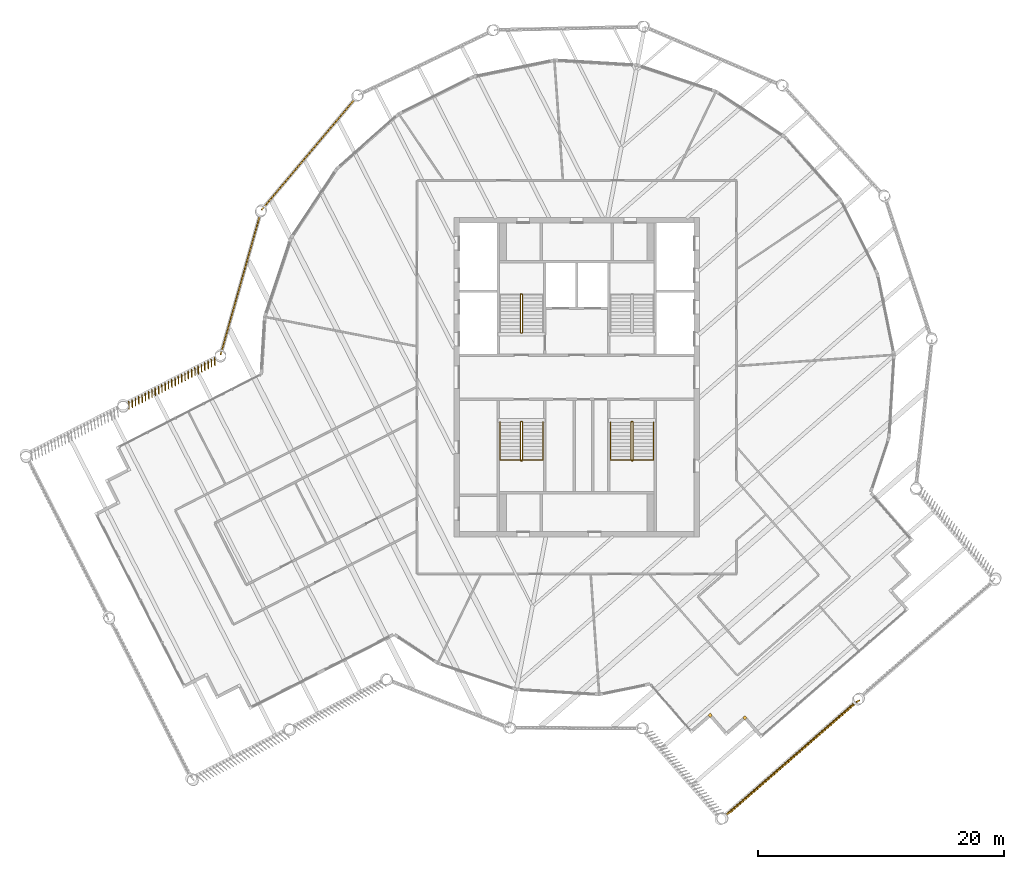
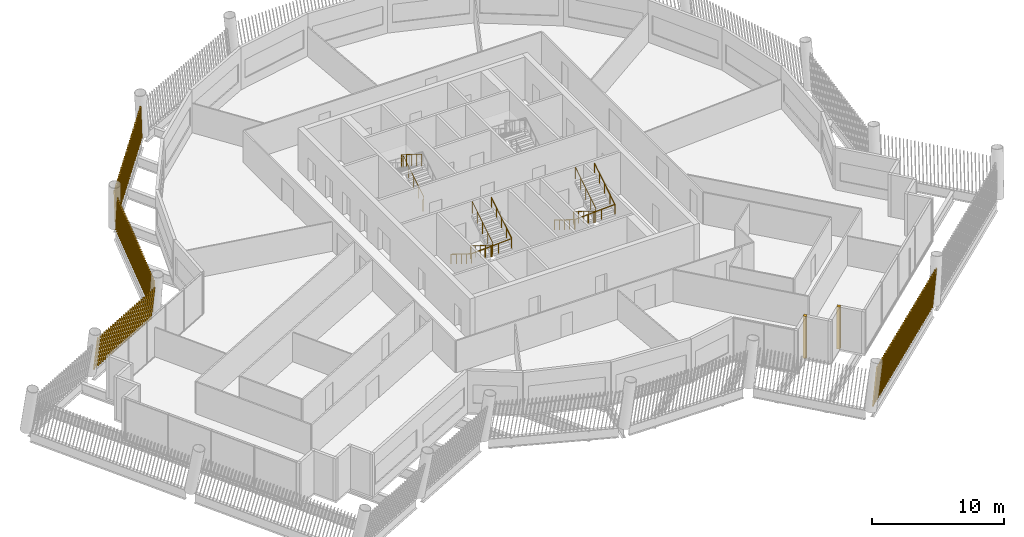
# One storey, part 26 of 28: 6 shading devices, 5 railings.
"""IFC4 building model written with IfcOpenShell, lengths in metres."""

import ifcopenshell
import ifcopenshell.guid

model = None  # the IFC model being written
_history = None  # IfcOwnerHistory: only IFC2X3 demands one
_inside = {}  # id of a spatial element -> (the spatial element, [elements in it])
_under = {}  # id of a project, library or spatial element -> (it, [spatial elements below it])
_declared = {}  # id of a project -> (the project, [libraries it declares])
_typed = {}  # id of a type object -> (the type object, [elements of that type])
_made_of = {}  # id of a material, layer set ... -> (it, [elements and type objects made of it])


def new_model(schema):
    """Start an empty IFC model of exactly this schema.

    Asked for "IFC4X3", IfcOpenShell would pick the latest addendum, in which some entities
    have other attributes; the version numbers below select the first issue.
    IFC2X3 requires an IfcOwnerHistory on every rooted entity: one is made here for all.
    """
    global model, _history
    if schema == "IFC4X3":
        model = ifcopenshell.file(schema_version=(4, 3, 0, 0))
    else:
        model = ifcopenshell.file(schema=schema)
    _inside.clear()
    _under.clear()
    _declared.clear()
    _typed.clear()
    _made_of.clear()
    _history = None
    if model.schema == "IFC2X3":
        org = make("IfcOrganization", Name="unknown")
        user = make(
            "IfcPersonAndOrganization",
            ThePerson=make("IfcPerson", FamilyName="unknown"),
            TheOrganization=org,
        )
        app = make(
            "IfcApplication",
            ApplicationDeveloper=org,
            Version="unknown",
            ApplicationFullName="unknown",
            ApplicationIdentifier="unknown",
        )
        _history = make(
            "IfcOwnerHistory",
            OwningUser=user,
            OwningApplication=app,
            ChangeAction="ADDED",
            CreationDate=0,
        )
    return model


def make(cls, **values):
    """One entity of the class cls with the attributes given. An attribute that is None is left unset."""
    return model.create_entity(
        cls, **{name: value for name, value in values.items() if value is not None}
    )


def rooted(cls, **values):
    """An entity with a GlobalId (a new one), such as an element, a storey or a relation."""
    return make(cls, GlobalId=ifcopenshell.guid.new(), OwnerHistory=_history, **values)


def si_unit(unit_type, name, prefix=None):
    """IfcSIUnit, for example si_unit("LENGTHUNIT", "METRE", prefix="MILLI")."""
    return make("IfcSIUnit", UnitType=unit_type, Prefix=prefix, Name=name)


def assignment(units):
    """IfcUnitAssignment: the units of a project."""
    return None if units is None else make("IfcUnitAssignment", Units=units)


def point(xyz):
    """IfcCartesianPoint."""
    return None if xyz is None else make("IfcCartesianPoint", Coordinates=xyz)


def direction(xyz):
    """IfcDirection."""
    return None if xyz is None else make("IfcDirection", DirectionRatios=xyz)


def frame(location, z_axis=None, x_axis=None):
    """IfcAxis2Placement3D, a coordinate frame: its origin and axes. An axis left out is left unset."""
    return make(
        "IfcAxis2Placement3D",
        Location=point(location),
        Axis=direction(z_axis),
        RefDirection=direction(x_axis),
    )


def frame_2d(location, x_axis=None):
    """IfcAxis2Placement2D, a coordinate frame in the plane: its origin and x axis."""
    return make(
        "IfcAxis2Placement2D", Location=point(location), RefDirection=direction(x_axis)
    )


def origin():
    """The frame at (0, 0, 0) with its axes left unset."""
    return frame((0.0, 0.0, 0.0))


def origin_2d():
    """The frame at (0, 0) in the plane with its x axis left unset."""
    return frame_2d((0.0, 0.0))


def place(relative_to, where):
    """IfcLocalPlacement: puts the frame where relative to a parent placement (None: the world)."""
    return make(
        "IfcLocalPlacement", PlacementRelTo=relative_to, RelativePlacement=where
    )


def context(
    kind, dimensions, precision=None, world=None, true_north=None, identifier=None
):
    """IfcGeometricRepresentationContext, for example the 3D "Model" context."""
    return make(
        "IfcGeometricRepresentationContext",
        ContextIdentifier=identifier,
        ContextType=kind,
        CoordinateSpaceDimension=dimensions,
        Precision=precision,
        WorldCoordinateSystem=world,
        TrueNorth=true_north,
    )


def subcontext(parent, identifier, kind, view, scale=None):
    """IfcGeometricRepresentationSubContext, for example "Body" below "Model"."""
    return make(
        "IfcGeometricRepresentationSubContext",
        ContextIdentifier=identifier,
        ContextType=kind,
        ParentContext=parent,
        TargetScale=scale,
        TargetView=view,
    )


def project(units=None, contexts=None):
    """IfcProject with its units and contexts."""
    return rooted(
        "IfcProject",
        Name="project",
        RepresentationContexts=contexts,
        UnitsInContext=assignment(units),
    )


def spatial(cls, under=None, at=None, **own):
    """A site, building, storey or space (cls), placed at a placement, below another one or the project."""
    s = rooted(cls, ObjectPlacement=at, **own)
    if under is not None:
        _under.setdefault(under.id(), (under, []))[1].append(s)
    return s


def profile(cls, at=None, kind="AREA", **sizes):
    """A parametric profile (cls). Its sizes go by their IFC names, for example OverallWidth=200.0."""
    return make(cls, ProfileType=kind, Position=at, **sizes)


def rectangle(**sizes):
    """IfcRectangleProfileDef."""
    return profile("IfcRectangleProfileDef", **sizes)


def circle(**sizes):
    """IfcCircleProfileDef."""
    return profile("IfcCircleProfileDef", **sizes)


def composite_profile(profiles, kind="AREA"):
    """IfcCompositeProfileDef: several profiles as one."""
    return make("IfcCompositeProfileDef", ProfileType=kind, Profiles=profiles)


def extrude(swept, where, along, depth):
    """IfcExtrudedAreaSolid: the profile swept, set in the frame where, extruded along a direction by depth."""
    return make(
        "IfcExtrudedAreaSolid",
        SweptArea=swept,
        Position=where,
        ExtrudedDirection=direction(along),
        Depth=depth,
    )


def shape(context_of_items, identifier, shape_type, items):
    """IfcShapeRepresentation: the items that make up one representation, for example the "Body"."""
    return make(
        "IfcShapeRepresentation",
        ContextOfItems=context_of_items,
        RepresentationIdentifier=identifier,
        RepresentationType=shape_type,
        Items=items,
    )


def material(Name=None, Category=None):
    """IfcMaterial."""
    return make("IfcMaterial", Name=Name, Category=Category)


def made_of(thing, what):
    """Note that an element or type object is made of a material, layer set ...; save() writes the relation."""
    if what is not None:
        _made_of.setdefault(what.id(), (what, []))[1].append(thing)
    return thing


def type_object(cls, material=None, **own):
    """A type object (cls), such as IfcWallType, which elements share."""
    return made_of(rooted(cls, **own), material)


def element(
    cls,
    number,
    at=None,
    inside=None,
    cuts=None,
    type_object=None,
    material=None,
    context=None,
    identifier="Body",
    shape_type=None,
    held_by="IfcProductDefinitionShape",
    body=None,
    shapes=None,
    **own,
):
    """One element of the class cls, such as IfcWall. Its Tag is "e" and its number.

    at: its placement. inside: the storey or other place that contains it. cuts: it is an
    opening in that element (IfcRelVoidsElement). A single representation is given by context,
    identifier, shape_type and body (its items); several are given by shapes. held_by: the class
    of the entity that holds the representations. save() writes the other relations.
    """
    e = rooted(cls, Tag="e%d" % number, ObjectPlacement=at, **own)
    if body is not None:
        shapes = [shape(context, identifier, shape_type, body)]
    if shapes is not None:
        e.Representation = make(held_by, Representations=shapes)
    if inside is not None:
        _inside.setdefault(inside.id(), (inside, []))[1].append(e)
    if cuts is not None:
        rooted(
            "IfcRelVoidsElement", RelatingBuildingElement=cuts, RelatedOpeningElement=e
        )
    if type_object is not None:
        _typed.setdefault(type_object.id(), (type_object, []))[1].append(e)
    return made_of(e, material)


def aggregate(whole, parts):
    """IfcRelAggregates: a whole, such as a stair, and the parts it consists of."""
    return rooted("IfcRelAggregates", RelatingObject=whole, RelatedObjects=parts)


def save(model, path):
    """Write the relations noted so far, then the file.

    IfcRelAggregates (storeys below a building ...), IfcRelContainedInSpatialStructure (elements
    in a storey), IfcRelDefinesByType, IfcRelAssociatesMaterial and IfcRelDeclares: one each for
    every whole, place, type object, material and project.
    """
    for whole, parts in _under.values():
        aggregate(whole, parts)
    for where, things in _inside.values():
        rooted(
            "IfcRelContainedInSpatialStructure",
            RelatedElements=things,
            RelatingStructure=where,
        )
    for kind, things in _typed.values():
        rooted("IfcRelDefinesByType", RelatedObjects=things, RelatingType=kind)
    for what, things in _made_of.values():
        rooted("IfcRelAssociatesMaterial", RelatedObjects=things, RelatingMaterial=what)
    for by, libraries in _declared.values():
        rooted("IfcRelDeclares", RelatingContext=by, RelatedDefinitions=libraries)
    model.write(path)


model = new_model("IFC4")

# Units and contexts
model_context = context("Model", 3, precision=1e-05, world=origin(), true_north=direction((0.0, 1.0)))
body_context = subcontext(model_context, "Body", "Model", "MODEL_VIEW")
ifc_project = project(units=[si_unit("LENGTHUNIT", "METRE"), si_unit("AREAUNIT", "SQUARE_METRE"), si_unit("VOLUMEUNIT", "CUBIC_METRE"), si_unit("PLANEANGLEUNIT", "RADIAN"), si_unit("MASSUNIT", "GRAM", prefix="KILO")], contexts=[model_context])

# Site, building, storey
site_placement = place(None, origin())
site = spatial("IfcSite", under=ifc_project, at=site_placement, CompositionType="ELEMENT")
building_placement = place(site_placement, origin())
building = spatial("IfcBuilding", under=site, at=building_placement, Name="Tarsis Ring Headquarters", CompositionType="ELEMENT")
storey_placement = place(building_placement, frame((0.0, 0.0, 394.39990234375)))
storey = spatial("IfcBuildingStorey", under=building, at=storey_placement, Name="L93", CompositionType="ELEMENT", Elevation=394.39990234375)

# Railings
ifc_material_1 = material(Name="Steel S355", Category="steel")
railing_type_1 = type_object("IfcRailingType", Name="Core stair guard 1100", PredefinedType="GUARDRAIL", material=ifc_material_1)
railing_1_placement = place(storey_placement, frame((-4.5400390625, 3.610107421875, 0.0)))
element("IfcRailing", 1, at=railing_1_placement, inside=storey, type_object=railing_type_1, Name="L93 ST1 stair guard 1", PredefinedType="GUARDRAIL", context=body_context, shape_type="SweptSolid", body=[
    extrude(circle(Radius=0.02392578125, at=origin_2d()), frame((0.0, 0.0, 1.076171875), z_axis=(1.0, 0.0, 0.0), x_axis=(0.0, 1.0, 0.0)), (0.0, 0.0, 1.0), 0.080078125),
    extrude(circle(Radius=0.02392578125, at=origin_2d()), frame((0.080078125, 0.0, 1.076171875), z_axis=(0.265155923931, 0.263862480399, 0.927399011991), x_axis=(-0.705375805398, 0.708833529934, 0.0)), (0.0, 0.0, 1.0), 0.188720703125),
    extrude(circle(Radius=0.02392578125, at=origin_2d()), frame((0.130126953125, 0.0498046875, 1.2509765625), z_axis=(0.0, 0.847998304005, 0.529998940003), x_axis=(-1.0, 0.0, 0.0)), (0.0, 0.0, 1.0), 3.632080078125),
    extrude(circle(Radius=0.02392578125, at=origin_2d()), frame((0.130126953125, 3.1298828125, 3.17626953125), z_axis=(-0.707106781187, 0.707106781187, 0.0), x_axis=(-0.707106781187, -0.707106781187, 0.0)), (0.0, 0.0, 1.0), 0.07080078125),
    extrude(circle(Radius=0.02392578125, at=origin_2d()), frame((0.080078125, 3.179931640625, 3.17626953125), z_axis=(-1.0, 0.0, 0.0), x_axis=(0.0, -1.0, 0.0)), (0.0, 0.0, 1.0), 0.080078125),
    extrude(circle(Radius=0.02392578125, at=origin_2d()), frame((0.0, 3.179931640625, 3.17626953125), z_axis=(-0.265065253269, -0.265065253269, 0.927081885822), x_axis=(0.707106781187, -0.707106781187, 0.0)), (0.0, 0.0, 1.0), 0.188720703125),
    extrude(circle(Radius=0.02392578125, at=origin_2d()), frame((-0.050048828125, 3.1298828125, 3.35107421875), z_axis=(0.0, -0.847998304005, 0.529998940003), x_axis=(1.0, 0.0, 0.0)), (0.0, 0.0, 1.0), 3.632080078125),
    extrude(circle(Radius=0.02099609375, at=origin_2d()), origin(), (0.0, 0.0, 1.0), 1.052001953125),
    extrude(circle(Radius=0.02099609375, at=origin_2d()), frame((0.080078125, 0.0, 0.0)), (0.0, 0.0, 1.0), 1.052001953125),
    extrude(circle(Radius=0.02099609375, at=origin_2d()), frame((0.130126953125, 0.0498046875, 0.175048828125)), (0.0, 0.0, 1.0), 1.052001953125),
    extrude(circle(Radius=0.02099609375, at=origin_2d()), frame((0.130126953125, 0.81982421875, 0.65625)), (0.0, 0.0, 1.0), 1.052001953125),
    extrude(circle(Radius=0.02099609375, at=origin_2d()), frame((0.130126953125, 1.58984375, 1.1376953125)), (0.0, 0.0, 1.0), 1.052001953125),
    extrude(circle(Radius=0.02099609375, at=origin_2d()), frame((0.130126953125, 2.35986328125, 1.618896484375)), (0.0, 0.0, 1.0), 1.052001953125),
    extrude(circle(Radius=0.02099609375, at=origin_2d()), frame((0.130126953125, 3.1298828125, 2.10009765625)), (0.0, 0.0, 1.0), 1.052001953125),
    extrude(circle(Radius=0.02099609375, at=origin_2d()), frame((0.080078125, 3.179931640625, 2.10009765625)), (0.0, 0.0, 1.0), 1.052001953125),
    extrude(circle(Radius=0.02099609375, at=origin_2d()), frame((0.0, 3.179931640625, 2.10009765625)), (0.0, 0.0, 1.0), 1.052001953125),
    extrude(circle(Radius=0.02099609375, at=origin_2d()), frame((-0.050048828125, 3.1298828125, 2.275146484375)), (0.0, 0.0, 1.0), 1.052001953125),
    extrude(circle(Radius=0.02099609375, at=origin_2d()), frame((-0.050048828125, 2.35986328125, 2.75634765625)), (0.0, 0.0, 1.0), 1.052001953125),
    extrude(circle(Radius=0.02099609375, at=origin_2d()), frame((-0.050048828125, 1.58984375, 3.23779296875)), (0.0, 0.0, 1.0), 1.052001953125),
    extrude(circle(Radius=0.02099609375, at=origin_2d()), frame((-0.050048828125, 0.81982421875, 3.718994140625)), (0.0, 0.0, 1.0), 1.052001953125),
    extrude(circle(Radius=0.02099609375, at=origin_2d()), frame((-0.050048828125, 0.0498046875, 4.2001953125)), (0.0, 0.0, 1.0), 1.052001953125),
])
railing_2_placement = place(storey_placement, frame((-4.4599609375, -3.610107421875, 0.0)))
element("IfcRailing", 2, at=railing_2_placement, inside=storey, type_object=railing_type_1, Name="L93 ST3 stair guard 1", PredefinedType="GUARDRAIL", context=body_context, shape_type="SweptSolid", body=[
    extrude(circle(Radius=0.02392578125, at=origin_2d()), frame((0.0, 0.0, 1.076171875), z_axis=(-1.0, 0.0, 0.0), x_axis=(0.0, -1.0, 0.0)), (0.0, 0.0, 1.0), 0.080078125),
    extrude(circle(Radius=0.02392578125, at=origin_2d()), frame((-0.080078125, 0.0, 1.076171875), z_axis=(-0.265155923931, -0.263862480399, 0.927399011991), x_axis=(0.705375805398, -0.708833529934, 0.0)), (0.0, 0.0, 1.0), 0.188720703125),
    extrude(circle(Radius=0.02392578125, at=origin_2d()), frame((-0.130126953125, -0.0498046875, 1.2509765625), z_axis=(0.0, -0.847998304005, 0.529998940003), x_axis=(1.0, 0.0, 0.0)), (0.0, 0.0, 1.0), 3.632080078125),
    extrude(circle(Radius=0.02392578125, at=origin_2d()), frame((-0.130126953125, -3.1298828125, 3.17626953125), z_axis=(0.707106781187, -0.707106781187, 0.0), x_axis=(0.707106781187, 0.707106781187, 0.0)), (0.0, 0.0, 1.0), 0.07080078125),
    extrude(circle(Radius=0.02392578125, at=origin_2d()), frame((-0.080078125, -3.179931640625, 3.17626953125), z_axis=(1.0, 0.0, 0.0), x_axis=(0.0, 1.0, 0.0)), (0.0, 0.0, 1.0), 0.080078125),
    extrude(circle(Radius=0.02392578125, at=origin_2d()), frame((0.0, -3.179931640625, 3.17626953125), z_axis=(0.265065253269, 0.265065253269, 0.927081885822), x_axis=(-0.707106781187, 0.707106781187, 0.0)), (0.0, 0.0, 1.0), 0.188720703125),
    extrude(circle(Radius=0.02392578125, at=origin_2d()), frame((0.050048828125, -3.1298828125, 3.35107421875), z_axis=(0.0, 0.847998304005, 0.529998940003), x_axis=(-1.0, 0.0, 0.0)), (0.0, 0.0, 1.0), 3.632080078125),
    extrude(circle(Radius=0.02099609375, at=origin_2d()), origin(), (0.0, 0.0, 1.0), 1.052001953125),
    extrude(circle(Radius=0.02099609375, at=origin_2d()), frame((-0.080078125, 0.0, 0.0)), (0.0, 0.0, 1.0), 1.052001953125),
    extrude(circle(Radius=0.02099609375, at=origin_2d()), frame((-0.130126953125, -0.0498046875, 0.175048828125)), (0.0, 0.0, 1.0), 1.052001953125),
    extrude(circle(Radius=0.02099609375, at=origin_2d()), frame((-0.130126953125, -0.81982421875, 0.65625)), (0.0, 0.0, 1.0), 1.052001953125),
    extrude(circle(Radius=0.02099609375, at=origin_2d()), frame((-0.130126953125, -1.58984375, 1.1376953125)), (0.0, 0.0, 1.0), 1.052001953125),
    extrude(circle(Radius=0.02099609375, at=origin_2d()), frame((-0.130126953125, -2.35986328125, 1.618896484375)), (0.0, 0.0, 1.0), 1.052001953125),
    extrude(circle(Radius=0.02099609375, at=origin_2d()), frame((-0.130126953125, -3.1298828125, 2.10009765625)), (0.0, 0.0, 1.0), 1.052001953125),
    extrude(circle(Radius=0.02099609375, at=origin_2d()), frame((-0.080078125, -3.179931640625, 2.10009765625)), (0.0, 0.0, 1.0), 1.052001953125),
    extrude(circle(Radius=0.02099609375, at=origin_2d()), frame((0.0, -3.179931640625, 2.10009765625)), (0.0, 0.0, 1.0), 1.052001953125),
    extrude(circle(Radius=0.02099609375, at=origin_2d()), frame((0.050048828125, -3.1298828125, 2.275146484375)), (0.0, 0.0, 1.0), 1.052001953125),
    extrude(circle(Radius=0.02099609375, at=origin_2d()), frame((0.050048828125, -2.35986328125, 2.75634765625)), (0.0, 0.0, 1.0), 1.052001953125),
    extrude(circle(Radius=0.02099609375, at=origin_2d()), frame((0.050048828125, -1.58984375, 3.23779296875)), (0.0, 0.0, 1.0), 1.052001953125),
    extrude(circle(Radius=0.02099609375, at=origin_2d()), frame((0.050048828125, -0.81982421875, 3.718994140625)), (0.0, 0.0, 1.0), 1.052001953125),
    extrude(circle(Radius=0.02099609375, at=origin_2d()), frame((0.050048828125, -0.0498046875, 4.2001953125)), (0.0, 0.0, 1.0), 1.052001953125),
])
railing_3_placement = place(storey_placement, frame((4.5400390625, -3.610107421875, 0.0)))
element("IfcRailing", 3, at=railing_3_placement, inside=storey, type_object=railing_type_1, Name="L93 ST4 stair guard 1", PredefinedType="GUARDRAIL", context=body_context, shape_type="SweptSolid", body=[
    extrude(circle(Radius=0.02392578125, at=origin_2d()), frame((0.0, 0.0, 1.076171875), z_axis=(-1.0, 0.0, 0.0), x_axis=(0.0, -1.0, 0.0)), (0.0, 0.0, 1.0), 0.080078125),
    extrude(circle(Radius=0.02392578125, at=origin_2d()), frame((-0.080078125, 0.0, 1.076171875), z_axis=(-0.265155923931, -0.263862480399, 0.927399011991), x_axis=(0.705375805398, -0.708833529934, 0.0)), (0.0, 0.0, 1.0), 0.188720703125),
    extrude(circle(Radius=0.02392578125, at=origin_2d()), frame((-0.130126953125, -0.0498046875, 1.2509765625), z_axis=(0.0, -0.847998304005, 0.529998940003), x_axis=(1.0, 0.0, 0.0)), (0.0, 0.0, 1.0), 3.632080078125),
    extrude(circle(Radius=0.02392578125, at=origin_2d()), frame((-0.130126953125, -3.1298828125, 3.17626953125), z_axis=(0.707106781187, -0.707106781187, 0.0), x_axis=(0.707106781187, 0.707106781187, 0.0)), (0.0, 0.0, 1.0), 0.07080078125),
    extrude(circle(Radius=0.02392578125, at=origin_2d()), frame((-0.080078125, -3.179931640625, 3.17626953125), z_axis=(1.0, 0.0, 0.0), x_axis=(0.0, 1.0, 0.0)), (0.0, 0.0, 1.0), 0.080078125),
    extrude(circle(Radius=0.02392578125, at=origin_2d()), frame((0.0, -3.179931640625, 3.17626953125), z_axis=(0.265065253269, 0.265065253269, 0.927081885822), x_axis=(-0.707106781187, 0.707106781187, 0.0)), (0.0, 0.0, 1.0), 0.188720703125),
    extrude(circle(Radius=0.02392578125, at=origin_2d()), frame((0.050048828125, -3.1298828125, 3.35107421875), z_axis=(0.0, 0.847998304005, 0.529998940003), x_axis=(-1.0, 0.0, 0.0)), (0.0, 0.0, 1.0), 3.632080078125),
    extrude(circle(Radius=0.02099609375, at=origin_2d()), origin(), (0.0, 0.0, 1.0), 1.052001953125),
    extrude(circle(Radius=0.02099609375, at=origin_2d()), frame((-0.080078125, 0.0, 0.0)), (0.0, 0.0, 1.0), 1.052001953125),
    extrude(circle(Radius=0.02099609375, at=origin_2d()), frame((-0.130126953125, -0.0498046875, 0.175048828125)), (0.0, 0.0, 1.0), 1.052001953125),
    extrude(circle(Radius=0.02099609375, at=origin_2d()), frame((-0.130126953125, -0.81982421875, 0.65625)), (0.0, 0.0, 1.0), 1.052001953125),
    extrude(circle(Radius=0.02099609375, at=origin_2d()), frame((-0.130126953125, -1.58984375, 1.1376953125)), (0.0, 0.0, 1.0), 1.052001953125),
    extrude(circle(Radius=0.02099609375, at=origin_2d()), frame((-0.130126953125, -2.35986328125, 1.618896484375)), (0.0, 0.0, 1.0), 1.052001953125),
    extrude(circle(Radius=0.02099609375, at=origin_2d()), frame((-0.130126953125, -3.1298828125, 2.10009765625)), (0.0, 0.0, 1.0), 1.052001953125),
    extrude(circle(Radius=0.02099609375, at=origin_2d()), frame((-0.080078125, -3.179931640625, 2.10009765625)), (0.0, 0.0, 1.0), 1.052001953125),
    extrude(circle(Radius=0.02099609375, at=origin_2d()), frame((0.0, -3.179931640625, 2.10009765625)), (0.0, 0.0, 1.0), 1.052001953125),
    extrude(circle(Radius=0.02099609375, at=origin_2d()), frame((0.050048828125, -3.1298828125, 2.275146484375)), (0.0, 0.0, 1.0), 1.052001953125),
    extrude(circle(Radius=0.02099609375, at=origin_2d()), frame((0.050048828125, -2.35986328125, 2.75634765625)), (0.0, 0.0, 1.0), 1.052001953125),
    extrude(circle(Radius=0.02099609375, at=origin_2d()), frame((0.050048828125, -1.58984375, 3.23779296875)), (0.0, 0.0, 1.0), 1.052001953125),
    extrude(circle(Radius=0.02099609375, at=origin_2d()), frame((0.050048828125, -0.81982421875, 3.718994140625)), (0.0, 0.0, 1.0), 1.052001953125),
    extrude(circle(Radius=0.02099609375, at=origin_2d()), frame((0.050048828125, -0.0498046875, 4.2001953125)), (0.0, 0.0, 1.0), 1.052001953125),
])
railing_type_2 = type_object("IfcRailingType", Name="Core stair handrail 900", PredefinedType="HANDRAIL", material=ifc_material_1)
railing_4_placement = place(storey_placement, frame((-6.25, -3.659912109375, 0.175048828125)))
element("IfcRailing", 4, at=railing_4_placement, inside=storey, type_object=railing_type_2, Name="L93 ST3 stair handrail 1", PredefinedType="HANDRAIL", context=body_context, shape_type="SweptSolid", body=[
    extrude(circle(Radius=0.02392578125, at=origin_2d()), frame((0.0, 0.0, 0.8759765625), z_axis=(0.0, -0.847998304005, 0.529998940003), x_axis=(1.0, 0.0, 0.0)), (0.0, 0.0, 1.0), 3.632080078125),
    extrude(circle(Radius=0.02392578125, at=origin_2d()), frame((0.0, -3.080078125, 2.80078125), z_axis=(0.998751643845, 0.0, 0.049951515669), x_axis=(0.0, 1.0, 0.0)), (0.0, 0.0, 1.0), 3.50439453125),
    extrude(circle(Radius=0.02392578125, at=origin_2d()), frame((3.5, -3.080078125, 2.97607421875), z_axis=(0.0, 0.847998304005, 0.529998940003), x_axis=(-1.0, 0.0, 0.0)), (0.0, 0.0, 1.0), 3.632080078125),
    extrude(circle(Radius=0.02099609375, at=origin_2d()), origin(), (0.0, 0.0, 1.0), 0.851806640625),
    extrude(circle(Radius=0.02099609375, at=origin_2d()), frame((0.0, -0.77001953125, 0.481201171875)), (0.0, 0.0, 1.0), 0.851806640625),
    extrude(circle(Radius=0.02099609375, at=origin_2d()), frame((0.0, -1.5400390625, 0.96240234375)), (0.0, 0.0, 1.0), 0.851806640625),
    extrude(circle(Radius=0.02099609375, at=origin_2d()), frame((0.0, -2.31005859375, 1.44384765625)), (0.0, 0.0, 1.0), 0.851806640625),
    extrude(circle(Radius=0.02099609375, at=origin_2d()), frame((0.0, -3.080078125, 1.925048828125)), (0.0, 0.0, 1.0), 0.851806640625),
    extrude(circle(Radius=0.02099609375, at=origin_2d()), frame((1.166748046875, -3.080078125, 1.9833984375)), (0.0, 0.0, 1.0), 0.851806640625),
    extrude(circle(Radius=0.02099609375, at=origin_2d()), frame((2.333251953125, -3.080078125, 2.041748046875)), (0.0, 0.0, 1.0), 0.851806640625),
    extrude(circle(Radius=0.02099609375, at=origin_2d()), frame((3.5, -3.080078125, 2.10009765625)), (0.0, 0.0, 1.0), 0.851806640625),
    extrude(circle(Radius=0.02099609375, at=origin_2d()), frame((3.5, -2.31005859375, 2.581298828125)), (0.0, 0.0, 1.0), 0.851806640625),
    extrude(circle(Radius=0.02099609375, at=origin_2d()), frame((3.5, -1.5400390625, 3.0625)), (0.0, 0.0, 1.0), 0.851806640625),
    extrude(circle(Radius=0.02099609375, at=origin_2d()), frame((3.5, -0.77001953125, 3.5439453125)), (0.0, 0.0, 1.0), 0.851806640625),
    extrude(circle(Radius=0.02099609375, at=origin_2d()), frame((3.5, 0.0, 4.025146484375)), (0.0, 0.0, 1.0), 0.851806640625),
])
railing_5_placement = place(storey_placement, frame((2.75, -3.659912109375, 0.175048828125)))
element("IfcRailing", 5, at=railing_5_placement, inside=storey, type_object=railing_type_2, Name="L93 ST4 stair handrail 1", PredefinedType="HANDRAIL", context=body_context, shape_type="SweptSolid", body=[
    extrude(circle(Radius=0.02392578125, at=origin_2d()), frame((0.0, 0.0, 0.8759765625), z_axis=(0.0, -0.847998304005, 0.529998940003), x_axis=(1.0, 0.0, 0.0)), (0.0, 0.0, 1.0), 3.632080078125),
    extrude(circle(Radius=0.02392578125, at=origin_2d()), frame((0.0, -3.080078125, 2.80078125), z_axis=(0.998751643845, 0.0, 0.049951515669), x_axis=(0.0, 1.0, 0.0)), (0.0, 0.0, 1.0), 3.50439453125),
    extrude(circle(Radius=0.02392578125, at=origin_2d()), frame((3.5, -3.080078125, 2.97607421875), z_axis=(0.0, 0.847998304005, 0.529998940003), x_axis=(-1.0, 0.0, 0.0)), (0.0, 0.0, 1.0), 3.632080078125),
    extrude(circle(Radius=0.02099609375, at=origin_2d()), origin(), (0.0, 0.0, 1.0), 0.851806640625),
    extrude(circle(Radius=0.02099609375, at=origin_2d()), frame((0.0, -0.77001953125, 0.481201171875)), (0.0, 0.0, 1.0), 0.851806640625),
    extrude(circle(Radius=0.02099609375, at=origin_2d()), frame((0.0, -1.5400390625, 0.96240234375)), (0.0, 0.0, 1.0), 0.851806640625),
    extrude(circle(Radius=0.02099609375, at=origin_2d()), frame((0.0, -2.31005859375, 1.44384765625)), (0.0, 0.0, 1.0), 0.851806640625),
    extrude(circle(Radius=0.02099609375, at=origin_2d()), frame((0.0, -3.080078125, 1.925048828125)), (0.0, 0.0, 1.0), 0.851806640625),
    extrude(circle(Radius=0.02099609375, at=origin_2d()), frame((1.166748046875, -3.080078125, 1.9833984375)), (0.0, 0.0, 1.0), 0.851806640625),
    extrude(circle(Radius=0.02099609375, at=origin_2d()), frame((2.333251953125, -3.080078125, 2.041748046875)), (0.0, 0.0, 1.0), 0.851806640625),
    extrude(circle(Radius=0.02099609375, at=origin_2d()), frame((3.5, -3.080078125, 2.10009765625)), (0.0, 0.0, 1.0), 0.851806640625),
    extrude(circle(Radius=0.02099609375, at=origin_2d()), frame((3.5, -2.31005859375, 2.581298828125)), (0.0, 0.0, 1.0), 0.851806640625),
    extrude(circle(Radius=0.02099609375, at=origin_2d()), frame((3.5, -1.5400390625, 3.0625)), (0.0, 0.0, 1.0), 0.851806640625),
    extrude(circle(Radius=0.02099609375, at=origin_2d()), frame((3.5, -0.77001953125, 3.5439453125)), (0.0, 0.0, 1.0), 0.851806640625),
    extrude(circle(Radius=0.02099609375, at=origin_2d()), frame((3.5, 0.0, 4.025146484375)), (0.0, 0.0, 1.0), 0.851806640625),
])

# Shading devices
ifc_material_2 = material(Name="Terracotta baguette", Category="masonry")
shading_device_type_1 = type_object("IfcShadingDeviceType", Name="Terracotta baguette screen", PredefinedType="USERDEFINED", material=ifc_material_2)
shading_device_1_placement = place(storey_placement, frame((12.0634765625, -35.63720703125, 0.0), z_axis=(0.0, 0.0, 1.0), x_axis=(0.754250331712, 0.656594427245, 0.0)))
element("IfcShadingDevice", 6, at=shading_device_1_placement, inside=storey, type_object=shading_device_type_1, Name="Baguette screen L93-02", ObjectType="Terracotta baguette screen", PredefinedType="USERDEFINED", context=body_context, shape_type="SweptSolid", body=[
    extrude(composite_profile([rectangle(XDim=0.06005859375, YDim=0.1201171875, at=frame_2d((0.030029296875, 0.0))), rectangle(XDim=0.06005859375, YDim=0.1201171875, at=frame_2d((0.33544921875, 0.0))), rectangle(XDim=0.06005859375, YDim=0.1201171875, at=frame_2d((0.640625, 0.0))), rectangle(XDim=0.06005859375, YDim=0.1201171875, at=frame_2d((0.946044921875, 0.0))), rectangle(XDim=0.06005859375, YDim=0.1201171875, at=frame_2d((1.25146484375, 0.0))), rectangle(XDim=0.06005859375, YDim=0.1201171875, at=frame_2d((1.556640625, 0.0))), rectangle(XDim=0.06005859375, YDim=0.1201171875, at=frame_2d((1.862060546875, 0.0))), rectangle(XDim=0.06005859375, YDim=0.1201171875, at=frame_2d((2.16748046875, 0.0))), rectangle(XDim=0.06005859375, YDim=0.1201171875, at=frame_2d((2.47265625, 0.0))), rectangle(XDim=0.06005859375, YDim=0.1201171875, at=frame_2d((2.778076171875, 0.0))), rectangle(XDim=0.06005859375, YDim=0.1201171875, at=frame_2d((3.08349609375, 0.0))), rectangle(XDim=0.06005859375, YDim=0.1201171875, at=frame_2d((3.388671875, 0.0))), rectangle(XDim=0.06005859375, YDim=0.1201171875, at=frame_2d((3.694091796875, 0.0))), rectangle(XDim=0.06005859375, YDim=0.1201171875, at=frame_2d((3.99951171875, 0.0))), rectangle(XDim=0.06005859375, YDim=0.1201171875, at=frame_2d((4.3046875, 0.0))), rectangle(XDim=0.06005859375, YDim=0.1201171875, at=frame_2d((4.610107421875, 0.0))), rectangle(XDim=0.06005859375, YDim=0.1201171875, at=frame_2d((4.91552734375, 0.0))), rectangle(XDim=0.06005859375, YDim=0.1201171875, at=frame_2d((5.220703125, 0.0))), rectangle(XDim=0.06005859375, YDim=0.1201171875, at=frame_2d((5.526123046875, 0.0))), rectangle(XDim=0.06005859375, YDim=0.1201171875, at=frame_2d((5.83154296875, 0.0))), rectangle(XDim=0.06005859375, YDim=0.1201171875, at=frame_2d((6.13671875, 0.0))), rectangle(XDim=0.06005859375, YDim=0.1201171875, at=frame_2d((6.442138671875, 0.0))), rectangle(XDim=0.06005859375, YDim=0.1201171875, at=frame_2d((6.74755859375, 0.0))), rectangle(XDim=0.06005859375, YDim=0.1201171875, at=frame_2d((7.052734375, 0.0))), rectangle(XDim=0.06005859375, YDim=0.1201171875, at=frame_2d((7.358154296875, 0.0))), rectangle(XDim=0.06005859375, YDim=0.1201171875, at=frame_2d((7.66357421875, 0.0))), rectangle(XDim=0.06005859375, YDim=0.1201171875, at=frame_2d((7.96875, 0.0))), rectangle(XDim=0.06005859375, YDim=0.1201171875, at=frame_2d((8.274169921875, 0.0))), rectangle(XDim=0.06005859375, YDim=0.1201171875, at=frame_2d((8.57958984375, 0.0))), rectangle(XDim=0.06005859375, YDim=0.1201171875, at=frame_2d((8.884765625, 0.0))), rectangle(XDim=0.06005859375, YDim=0.1201171875, at=frame_2d((9.190185546875, 0.0))), rectangle(XDim=0.06005859375, YDim=0.1201171875, at=frame_2d((9.49560546875, 0.0))), rectangle(XDim=0.06005859375, YDim=0.1201171875, at=frame_2d((9.80078125, 0.0))), rectangle(XDim=0.06005859375, YDim=0.1201171875, at=frame_2d((10.106201171875, 0.0))), rectangle(XDim=0.06005859375, YDim=0.1201171875, at=frame_2d((10.41162109375, 0.0))), rectangle(XDim=0.06005859375, YDim=0.1201171875, at=frame_2d((10.716796875, 0.0))), rectangle(XDim=0.06005859375, YDim=0.1201171875, at=frame_2d((11.022216796875, 0.0))), rectangle(XDim=0.06005859375, YDim=0.1201171875, at=frame_2d((11.32763671875, 0.0))), rectangle(XDim=0.06005859375, YDim=0.1201171875, at=frame_2d((11.6328125, 0.0))), rectangle(XDim=0.06005859375, YDim=0.1201171875, at=frame_2d((11.938232421875, 0.0))), rectangle(XDim=0.06005859375, YDim=0.1201171875, at=frame_2d((12.24365234375, 0.0))), rectangle(XDim=0.06005859375, YDim=0.1201171875, at=frame_2d((12.548828125, 0.0))), rectangle(XDim=0.06005859375, YDim=0.1201171875, at=frame_2d((12.854248046875, 0.0))), rectangle(XDim=0.06005859375, YDim=0.1201171875, at=frame_2d((13.15966796875, 0.0))), rectangle(XDim=0.06005859375, YDim=0.1201171875, at=frame_2d((13.46484375, 0.0))), rectangle(XDim=0.06005859375, YDim=0.1201171875, at=frame_2d((13.770263671875, 0.0)))]), origin(), (0.188430467082, -0.038285584943, 0.981339988516), 3.358642578125),
])
shading_device_2_placement = place(storey_placement, frame((-18.095947265625, 22.59375, 0.0), z_axis=(0.0, 0.0, 1.0), x_axis=(-0.644174841566, -0.764866741905, 0.0)))
element("IfcShadingDevice", 7, at=shading_device_2_placement, inside=storey, type_object=shading_device_type_1, Name="Baguette screen L93-11", ObjectType="Terracotta baguette screen", PredefinedType="USERDEFINED", context=body_context, shape_type="SweptSolid", body=[
    extrude(composite_profile([rectangle(XDim=0.06005859375, YDim=0.1201171875, at=frame_2d((0.030029296875, 0.0))), rectangle(XDim=0.06005859375, YDim=0.1201171875, at=frame_2d((0.33251953125, 0.0))), rectangle(XDim=0.06005859375, YDim=0.1201171875, at=frame_2d((0.634765625, 0.0))), rectangle(XDim=0.06005859375, YDim=0.1201171875, at=frame_2d((0.937255859375, 0.0))), rectangle(XDim=0.06005859375, YDim=0.1201171875, at=frame_2d((1.239501953125, 0.0))), rectangle(XDim=0.06005859375, YDim=0.1201171875, at=frame_2d((1.5419921875, 0.0))), rectangle(XDim=0.06005859375, YDim=0.1201171875, at=frame_2d((1.844482421875, 0.0))), rectangle(XDim=0.06005859375, YDim=0.1201171875, at=frame_2d((2.146728515625, 0.0))), rectangle(XDim=0.06005859375, YDim=0.1201171875, at=frame_2d((2.44921875, 0.0))), rectangle(XDim=0.06005859375, YDim=0.1201171875, at=frame_2d((2.751708984375, 0.0))), rectangle(XDim=0.06005859375, YDim=0.1201171875, at=frame_2d((3.053955078125, 0.0))), rectangle(XDim=0.06005859375, YDim=0.1201171875, at=frame_2d((3.3564453125, 0.0))), rectangle(XDim=0.06005859375, YDim=0.1201171875, at=frame_2d((3.65869140625, 0.0))), rectangle(XDim=0.06005859375, YDim=0.1201171875, at=frame_2d((3.961181640625, 0.0))), rectangle(XDim=0.06005859375, YDim=0.1201171875, at=frame_2d((4.263671875, 0.0))), rectangle(XDim=0.06005859375, YDim=0.1201171875, at=frame_2d((4.56591796875, 0.0))), rectangle(XDim=0.06005859375, YDim=0.1201171875, at=frame_2d((4.868408203125, 0.0))), rectangle(XDim=0.06005859375, YDim=0.1201171875, at=frame_2d((5.1708984375, 0.0))), rectangle(XDim=0.06005859375, YDim=0.1201171875, at=frame_2d((5.47314453125, 0.0))), rectangle(XDim=0.06005859375, YDim=0.1201171875, at=frame_2d((5.775634765625, 0.0))), rectangle(XDim=0.06005859375, YDim=0.1201171875, at=frame_2d((6.077880859375, 0.0))), rectangle(XDim=0.06005859375, YDim=0.1201171875, at=frame_2d((6.38037109375, 0.0))), rectangle(XDim=0.06005859375, YDim=0.1201171875, at=frame_2d((6.682861328125, 0.0))), rectangle(XDim=0.06005859375, YDim=0.1201171875, at=frame_2d((6.985107421875, 0.0))), rectangle(XDim=0.06005859375, YDim=0.1201171875, at=frame_2d((7.28759765625, 0.0))), rectangle(XDim=0.06005859375, YDim=0.1201171875, at=frame_2d((7.590087890625, 0.0))), rectangle(XDim=0.06005859375, YDim=0.1201171875, at=frame_2d((7.892333984375, 0.0))), rectangle(XDim=0.06005859375, YDim=0.1201171875, at=frame_2d((8.19482421875, 0.0))), rectangle(XDim=0.06005859375, YDim=0.1201171875, at=frame_2d((8.4970703125, 0.0))), rectangle(XDim=0.06005859375, YDim=0.1201171875, at=frame_2d((8.799560546875, 0.0))), rectangle(XDim=0.06005859375, YDim=0.1201171875, at=frame_2d((9.10205078125, 0.0))), rectangle(XDim=0.06005859375, YDim=0.1201171875, at=frame_2d((9.404296875, 0.0))), rectangle(XDim=0.06005859375, YDim=0.1201171875, at=frame_2d((9.706787109375, 0.0))), rectangle(XDim=0.06005859375, YDim=0.1201171875, at=frame_2d((10.00927734375, 0.0))), rectangle(XDim=0.06005859375, YDim=0.1201171875, at=frame_2d((10.3115234375, 0.0))), rectangle(XDim=0.06005859375, YDim=0.1201171875, at=frame_2d((10.614013671875, 0.0))), rectangle(XDim=0.06005859375, YDim=0.1201171875, at=frame_2d((10.916259765625, 0.0))), rectangle(XDim=0.06005859375, YDim=0.1201171875, at=frame_2d((11.21875, 0.0)))]), origin(), (0.154494329623, 0.001403652755, 0.987992678046), 3.3359375),
])
shading_device_3_placement = place(storey_placement, frame((-25.80029296875, 13.1259765625, 0.0), z_axis=(0.0, 0.0, 1.0), x_axis=(-0.271622354856, -0.962409115572, 0.0)))
element("IfcShadingDevice", 8, at=shading_device_3_placement, inside=storey, type_object=shading_device_type_1, Name="Baguette screen L93-12", ObjectType="Terracotta baguette screen", PredefinedType="USERDEFINED", context=body_context, shape_type="SweptSolid", body=[
    extrude(composite_profile([rectangle(XDim=0.06005859375, YDim=0.1201171875, at=frame_2d((0.030029296875, 0.0))), rectangle(XDim=0.06005859375, YDim=0.1201171875, at=frame_2d((0.33251953125, 0.0))), rectangle(XDim=0.06005859375, YDim=0.1201171875, at=frame_2d((0.634765625, 0.0))), rectangle(XDim=0.06005859375, YDim=0.1201171875, at=frame_2d((0.937255859375, 0.0))), rectangle(XDim=0.06005859375, YDim=0.1201171875, at=frame_2d((1.239501953125, 0.0))), rectangle(XDim=0.06005859375, YDim=0.1201171875, at=frame_2d((1.5419921875, 0.0))), rectangle(XDim=0.06005859375, YDim=0.1201171875, at=frame_2d((1.844482421875, 0.0))), rectangle(XDim=0.06005859375, YDim=0.1201171875, at=frame_2d((2.146728515625, 0.0))), rectangle(XDim=0.06005859375, YDim=0.1201171875, at=frame_2d((2.44921875, 0.0))), rectangle(XDim=0.06005859375, YDim=0.1201171875, at=frame_2d((2.751708984375, 0.0))), rectangle(XDim=0.06005859375, YDim=0.1201171875, at=frame_2d((3.053955078125, 0.0))), rectangle(XDim=0.06005859375, YDim=0.1201171875, at=frame_2d((3.3564453125, 0.0))), rectangle(XDim=0.06005859375, YDim=0.1201171875, at=frame_2d((3.65869140625, 0.0))), rectangle(XDim=0.06005859375, YDim=0.1201171875, at=frame_2d((3.961181640625, 0.0))), rectangle(XDim=0.06005859375, YDim=0.1201171875, at=frame_2d((4.263671875, 0.0))), rectangle(XDim=0.06005859375, YDim=0.1201171875, at=frame_2d((4.56591796875, 0.0))), rectangle(XDim=0.06005859375, YDim=0.1201171875, at=frame_2d((4.868408203125, 0.0))), rectangle(XDim=0.06005859375, YDim=0.1201171875, at=frame_2d((5.1708984375, 0.0))), rectangle(XDim=0.06005859375, YDim=0.1201171875, at=frame_2d((5.47314453125, 0.0))), rectangle(XDim=0.06005859375, YDim=0.1201171875, at=frame_2d((5.775634765625, 0.0))), rectangle(XDim=0.06005859375, YDim=0.1201171875, at=frame_2d((6.077880859375, 0.0))), rectangle(XDim=0.06005859375, YDim=0.1201171875, at=frame_2d((6.38037109375, 0.0))), rectangle(XDim=0.06005859375, YDim=0.1201171875, at=frame_2d((6.682861328125, 0.0))), rectangle(XDim=0.06005859375, YDim=0.1201171875, at=frame_2d((6.985107421875, 0.0))), rectangle(XDim=0.06005859375, YDim=0.1201171875, at=frame_2d((7.28759765625, 0.0))), rectangle(XDim=0.06005859375, YDim=0.1201171875, at=frame_2d((7.590087890625, 0.0))), rectangle(XDim=0.06005859375, YDim=0.1201171875, at=frame_2d((7.892333984375, 0.0))), rectangle(XDim=0.06005859375, YDim=0.1201171875, at=frame_2d((8.19482421875, 0.0))), rectangle(XDim=0.06005859375, YDim=0.1201171875, at=frame_2d((8.4970703125, 0.0))), rectangle(XDim=0.06005859375, YDim=0.1201171875, at=frame_2d((8.799560546875, 0.0))), rectangle(XDim=0.06005859375, YDim=0.1201171875, at=frame_2d((9.10205078125, 0.0))), rectangle(XDim=0.06005859375, YDim=0.1201171875, at=frame_2d((9.404296875, 0.0))), rectangle(XDim=0.06005859375, YDim=0.1201171875, at=frame_2d((9.706787109375, 0.0))), rectangle(XDim=0.06005859375, YDim=0.1201171875, at=frame_2d((10.00927734375, 0.0))), rectangle(XDim=0.06005859375, YDim=0.1201171875, at=frame_2d((10.3115234375, 0.0))), rectangle(XDim=0.06005859375, YDim=0.1201171875, at=frame_2d((10.614013671875, 0.0))), rectangle(XDim=0.06005859375, YDim=0.1201171875, at=frame_2d((10.916259765625, 0.0))), rectangle(XDim=0.06005859375, YDim=0.1201171875, at=frame_2d((11.21875, 0.0)))]), origin(), (0.154496541384, 0.001401023742, 0.987992335918), 3.3359375),
])
shading_device_4_placement = place(storey_placement, frame((-29.436767578125, 1.591552734375, 0.0), z_axis=(0.0, 0.0, 1.0), x_axis=(-0.890694513099, -0.454584775087, 0.0)))
element("IfcShadingDevice", 9, at=shading_device_4_placement, inside=storey, type_object=shading_device_type_1, Name="Baguette screen L93-13", ObjectType="Terracotta baguette screen", PredefinedType="USERDEFINED", context=body_context, shape_type="SweptSolid", body=[
    extrude(composite_profile([rectangle(XDim=0.06005859375, YDim=0.1201171875, at=frame_2d((0.030029296875, 0.0))), rectangle(XDim=0.06005859375, YDim=0.1201171875, at=frame_2d((0.33154296875, 0.0))), rectangle(XDim=0.06005859375, YDim=0.1201171875, at=frame_2d((0.63330078125, 0.0))), rectangle(XDim=0.06005859375, YDim=0.1201171875, at=frame_2d((0.934814453125, 0.0))), rectangle(XDim=0.06005859375, YDim=0.1201171875, at=frame_2d((1.236572265625, 0.0))), rectangle(XDim=0.06005859375, YDim=0.1201171875, at=frame_2d((1.5380859375, 0.0))), rectangle(XDim=0.06005859375, YDim=0.1201171875, at=frame_2d((1.83984375, 0.0))), rectangle(XDim=0.06005859375, YDim=0.1201171875, at=frame_2d((2.141357421875, 0.0))), rectangle(XDim=0.06005859375, YDim=0.1201171875, at=frame_2d((2.443115234375, 0.0))), rectangle(XDim=0.06005859375, YDim=0.1201171875, at=frame_2d((2.74462890625, 0.0))), rectangle(XDim=0.06005859375, YDim=0.1201171875, at=frame_2d((3.04638671875, 0.0))), rectangle(XDim=0.06005859375, YDim=0.1201171875, at=frame_2d((3.347900390625, 0.0))), rectangle(XDim=0.06005859375, YDim=0.1201171875, at=frame_2d((3.649658203125, 0.0))), rectangle(XDim=0.06005859375, YDim=0.1201171875, at=frame_2d((3.951171875, 0.0))), rectangle(XDim=0.06005859375, YDim=0.1201171875, at=frame_2d((4.252685546875, 0.0))), rectangle(XDim=0.06005859375, YDim=0.1201171875, at=frame_2d((4.554443359375, 0.0))), rectangle(XDim=0.06005859375, YDim=0.1201171875, at=frame_2d((4.85595703125, 0.0))), rectangle(XDim=0.06005859375, YDim=0.1201171875, at=frame_2d((5.15771484375, 0.0))), rectangle(XDim=0.06005859375, YDim=0.1201171875, at=frame_2d((5.459228515625, 0.0))), rectangle(XDim=0.06005859375, YDim=0.1201171875, at=frame_2d((5.760986328125, 0.0))), rectangle(XDim=0.06005859375, YDim=0.1201171875, at=frame_2d((6.0625, 0.0))), rectangle(XDim=0.06005859375, YDim=0.1201171875, at=frame_2d((6.3642578125, 0.0))), rectangle(XDim=0.06005859375, YDim=0.1201171875, at=frame_2d((6.665771484375, 0.0))), rectangle(XDim=0.06005859375, YDim=0.1201171875, at=frame_2d((6.967529296875, 0.0))), rectangle(XDim=0.06005859375, YDim=0.1201171875, at=frame_2d((7.26904296875, 0.0))), rectangle(XDim=0.06005859375, YDim=0.1201171875, at=frame_2d((7.57080078125, 0.0))), rectangle(XDim=0.06005859375, YDim=0.1201171875, at=frame_2d((7.872314453125, 0.0)))]), origin(), (0.078739899124, 0.160283886568, 0.983925354889), 3.349853515625),
])
shading_device_type_2 = type_object("IfcShadingDeviceType", Name="Terracotta corner baguette 250x250", PredefinedType="USERDEFINED", material=ifc_material_2)
for number, where, z_axis, x_axis, name in (
    (10, (10.85400390625, -27.508544921875, 0.000244140625), (0.0, 0.0, 1.0), (0.754251564089, 0.656585545126, 0.0), "Corner baguette L93-08"),
    (11, (13.67578125, -27.703857421875, 0.000244140625), (0.0, 0.0, 1.0), (0.754251311979, 0.656585834738, 0.0), "Corner baguette L93-10"),
):
    element("IfcShadingDevice", number, at=place(storey_placement, frame(where, z_axis=z_axis, x_axis=x_axis)), inside=storey, type_object=shading_device_type_2, Name=name, ObjectType="Terracotta corner baguette", PredefinedType="USERDEFINED", context=body_context, shape_type="SweptSolid", body=[
        extrude(rectangle(XDim=0.25, YDim=0.25, at=origin_2d()), origin(), (0.0, 0.0, 1.0), 3.89990234375),
    ])

save(model, "model.ifc")
